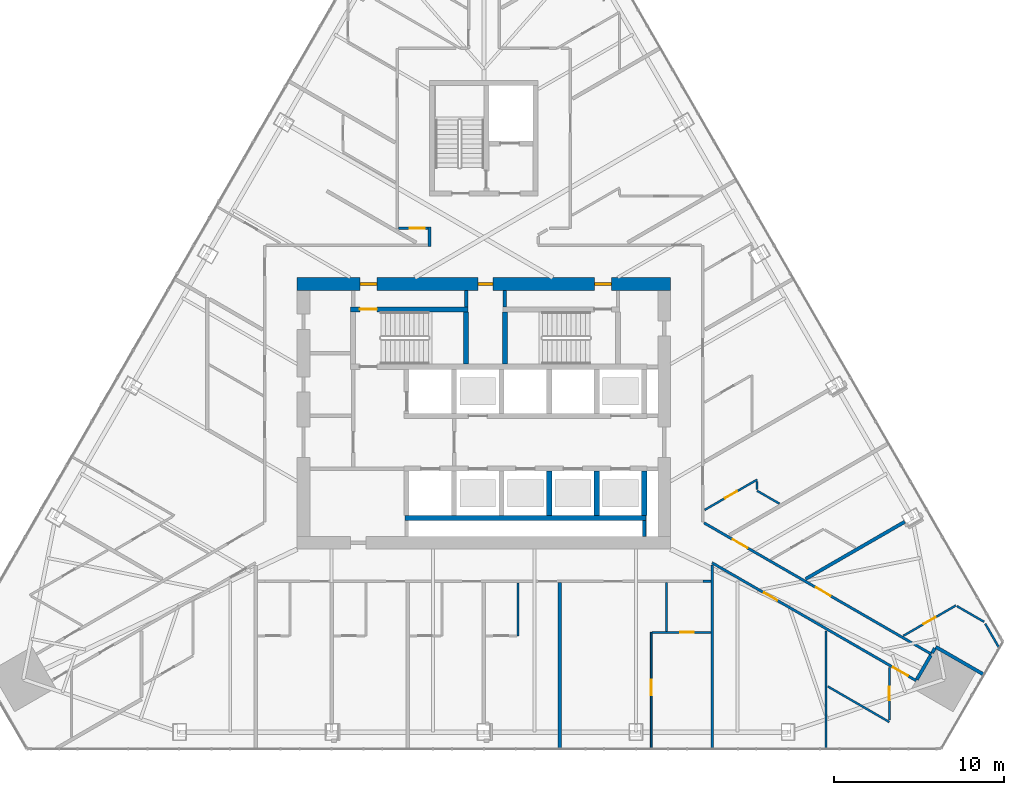
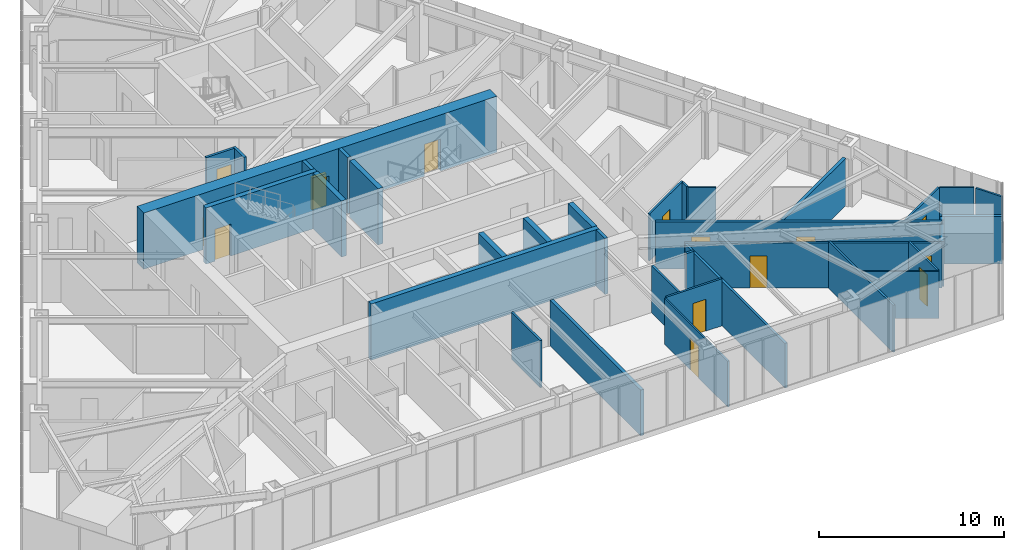
# One storey, part 21 of 26: 35 walls, 14 doors, 14 openings.
"""IFC4 building model written with IfcOpenShell, lengths in metres."""

from ifc_helpers import new_model, si_unit, direction, frame, frame_2d, origin, place, context, subcontext, project, spatial, rectangle, extrude, material, layer, layer_set, type_object, element, fill, save


model = new_model("IFC4")

# Units and contexts
model_context = context("Model", 3, precision=1e-05, world=origin(), true_north=direction((0.0, 1.0)))
body_context = subcontext(model_context, "Body", "Model", "MODEL_VIEW")
ifc_project = project(units=[si_unit("LENGTHUNIT", "METRE"), si_unit("AREAUNIT", "SQUARE_METRE"), si_unit("VOLUMEUNIT", "CUBIC_METRE"), si_unit("PLANEANGLEUNIT", "RADIAN"), si_unit("MASSUNIT", "GRAM", prefix="KILO")], contexts=[model_context])

# Site, building, storey
site_placement = place(None, origin())
site = spatial("IfcSite", under=ifc_project, at=site_placement, CompositionType="ELEMENT")
building_placement = place(site_placement, origin())
building = spatial("IfcBuilding", under=site, at=building_placement, Name="Firuza Gate Tower and Library", CompositionType="ELEMENT")
storey_placement = place(building_placement, frame((0.0, 0.0, 175.300048828125)))
storey = spatial("IfcBuildingStorey", under=building, at=storey_placement, Name="L40", CompositionType="ELEMENT", Elevation=175.300048828125)

# Walls
ifc_material_1 = material(Name="Plasterboard on steel studs", Category="steel")
ifc_layer_1 = layer(ifc_material_1, 0.199951171875)
ifc_layer_set_1 = layer_set([ifc_layer_1], Name="Core partition 200 EI 120")
wall_type_1 = type_object("IfcWallType", Name="Core partition 200 EI 120", PredefinedType="PARTITIONING", material=ifc_layer_set_1)
wall_1_placement = place(storey_placement, frame((84.449951171875, 67.75, 0.0), z_axis=(0.0, 0.0, 1.0), x_axis=(0.0, 1.0, 0.0)))
element("IfcWall", 1, at=wall_1_placement, inside=storey, type_object=wall_type_1, Name="Core partition L40 14", PredefinedType="PARTITIONING", context=body_context, shape_type="SweptSolid", body=[
    extrude(rectangle(XDim=0.949951171875, YDim=0.199951171875, at=frame_2d((0.47509765625, 0.0))), origin(), (0.0, 0.0, 1.0), 3.699951171875),
])
ifc_material_2 = material(Name="Plasterboard on steel studs", Category="steel")
ifc_layer_2 = layer(ifc_material_2, 0.199951171875)
ifc_layer_set_2 = layer_set([ifc_layer_2], Name="Core partition 200 EI 60")
wall_type_2 = type_object("IfcWallType", Name="Core partition 200 EI 60", PredefinedType="PARTITIONING", material=ifc_layer_set_2)
for number, where, z_axis, x_axis, name in (
    (2, (73.9599609375, 81.280029296875, 0.0), (0.0, 0.0, 1.0), (0.0, 1.0, 0.0), "Core partition L40 11"),
    (3, (76.239990234375, 81.280029296875, 0.0), (0.0, 0.0, 1.0), (0.0, 1.0, 0.0), "Core partition L40 12"),
):
    element("IfcWall", number, at=place(storey_placement, frame(where, z_axis=z_axis, x_axis=x_axis)), inside=storey, type_object=wall_type_2, Name=name, PredefinedType="PARTITIONING", context=body_context, shape_type="SweptSolid", body=[
        extrude(rectangle(XDim=0.969970703125, YDim=0.199951171875, at=frame_2d((0.48486328125, 0.0))), origin(), (0.0, 0.0, 1.0), 3.699951171875),
    ])
ifc_material_3 = material(Name="Concrete C80/95", Category="concrete")
ifc_layer_3 = layer(ifc_material_3, 0.300048828125)
ifc_layer_set_3 = layer_set([ifc_layer_3], Name="Core wall 300 C80/95")
wall_type_3 = type_object("IfcWallType", Name="Core wall 300 C80/95", PredefinedType="SHEAR", material=ifc_layer_set_3)
wall_2_placement = place(storey_placement, frame((70.35009765625, 68.85009765625, 0.0), z_axis=(0.0, 0.0, 1.0), x_axis=(1.0, 0.0, 0.0)))
element("IfcWall", 4, at=wall_2_placement, inside=storey, type_object=wall_type_3, Name="Core wall L40 5", PredefinedType="SHEAR", context=body_context, shape_type="SweptSolid", body=[
    extrude(rectangle(XDim=14.199951171875, YDim=0.300048828125, at=frame_2d((7.10009765625, 0.0))), origin(), (0.0, 0.0, 1.0), 3.699951171875),
])
for number, where, z_axis, x_axis, name in (
    (5, (78.85009765625, 69.0, 0.0), (0.0, 0.0, 1.0), (0.0, 1.0, 0.0), "Core wall L40 14"),
    (6, (81.64990234375, 69.0, 0.0), (0.0, 0.0, 1.0), (0.0, 1.0, 0.0), "Core wall L40 16"),
    (7, (84.449951171875, 69.0, 0.0), (0.0, 0.0, 1.0), (0.0, 1.0, 0.0), "Core wall L40 18"),
):
    element("IfcWall", number, at=place(storey_placement, frame(where, z_axis=z_axis, x_axis=x_axis)), inside=storey, type_object=wall_type_3, Name=name, PredefinedType="SHEAR", context=body_context, shape_type="SweptSolid", body=[
        extrude(rectangle(XDim=2.60009765625, YDim=0.300048828125, at=frame_2d((1.300048828125, 0.0))), origin(), (0.0, 0.0, 1.0), 3.699951171875),
    ])

# Wall, opening, door
wall_3_placement = place(storey_placement, frame((67.14990234375, 81.1298828125, 0.0), z_axis=(0.0, 0.0, 1.0), x_axis=(1.0, 0.0, 0.0)))
wall_3 = element("IfcWall", 8, at=wall_3_placement, inside=storey, type_object=wall_type_3, Name="Core wall L40 21", PredefinedType="SHEAR", context=body_context, shape_type="SweptSolid", body=[
    extrude(rectangle(XDim=6.91015625, YDim=0.300048828125, at=frame_2d((3.455078125, 0.0))), origin(), (0.0, 0.0, 1.0), 3.699951171875),
])
opening_1_placement = place(wall_3_placement, frame((0.544921875, 0.0, 0.0)))
opening_1 = element("IfcOpeningElement", 9, at=opening_1_placement, cuts=wall_3, Name="Opening L40-K11", PredefinedType="OPENING", context=body_context, shape_type="SweptSolid", body=[
    extrude(rectangle(XDim=1.0, YDim=2.10009765625, at=frame_2d((0.5, 1.050048828125))), frame((0.0, 0.16015625, 0.0), z_axis=(0.0, -1.0, 0.0), x_axis=(1.0, 0.0, 0.0)), (0.0, 0.0, 1.0), 0.320068359375),
])
ifc_material_4 = material(Name="Steel", Category="steel")
door_type_1 = type_object("IfcDoorType", Name="Fire door 1000x2100 FD90", OperationType="NOTDEFINED", PredefinedType="DOOR", material=ifc_material_4)
door_1_placement = place(opening_1_placement, origin())
door_1 = element("IfcDoor", 10, at=door_1_placement, inside=storey, type_object=door_type_1, Name="Door L40-K11", OperationType="SINGLE_SWING_RIGHT", OverallHeight=2.10009765625, OverallWidth=1.0, PredefinedType="DOOR", context=body_context, shape_type="SweptSolid", body=[
    extrude(rectangle(XDim=1.0, YDim=2.10009765625, at=frame_2d((0.5, 1.050048828125))), frame((0.0, 0.02490234375, 0.0), z_axis=(0.0, -1.0, 0.0), x_axis=(1.0, 0.0, 0.0)), (0.0, 0.0, 1.0), 0.050048828125),
])
fill(opening_1, door_1)

# Walls
for number, where, z_axis, x_axis, name in (
    (11, (73.9599609375, 77.89990234375, 0.0), (0.0, 0.0, 1.0), (0.0, 1.0, 0.0), "Core wall L40 24"),
    (12, (76.239990234375, 77.89990234375, 0.0), (0.0, 0.0, 1.0), (0.0, 1.0, 0.0), "Core wall L40 25"),
):
    element("IfcWall", number, at=place(storey_placement, frame(where, z_axis=z_axis, x_axis=x_axis)), inside=storey, type_object=wall_type_3, Name=name, PredefinedType="SHEAR", context=body_context, shape_type="SweptSolid", body=[
        extrude(rectangle(XDim=3.080078125, YDim=0.300048828125, at=frame_2d((1.5400390625, 0.0))), origin(), (0.0, 0.0, 1.0), 3.699951171875),
    ])

# Wall, openings, doors
ifc_material_5 = material(Name="Concrete C80/95", Category="concrete")
ifc_layer_4 = layer(ifc_material_5, 0.75)
ifc_layer_set_4 = layer_set([ifc_layer_4], Name="Core wall 750 C80/95")
wall_type_4 = type_object("IfcWallType", Name="Core wall 750 C80/95", PredefinedType="SHEAR", material=ifc_layer_set_4)
wall_4_placement = place(storey_placement, frame((64.0, 82.625, 0.0), z_axis=(0.0, 0.0, 1.0), x_axis=(1.0, 0.0, 0.0)))
wall_4 = element("IfcWall", 13, at=wall_4_placement, inside=storey, type_object=wall_type_4, Name="Core wall L40 2", PredefinedType="SHEAR", context=body_context, shape_type="SweptSolid", body=[
    extrude(rectangle(XDim=22.0, YDim=0.75, at=frame_2d((11.0, 0.0))), origin(), (0.0, 0.0, 1.0), 3.699951171875),
])
opening_2_placement = place(wall_4_placement, frame((3.695068359375, 0.0, 0.0)))
opening_2 = element("IfcOpeningElement", 14, at=opening_2_placement, cuts=wall_4, Name="Opening L40-K12", PredefinedType="OPENING", context=body_context, shape_type="SweptSolid", body=[
    extrude(rectangle(XDim=1.0, YDim=2.10009765625, at=frame_2d((0.5, 1.050048828125))), frame((0.0, 0.385009765625, 0.0), z_axis=(0.0, -1.0, 0.0), x_axis=(1.0, 0.0, 0.0)), (0.0, 0.0, 1.0), 0.77001953125),
])
opening_3_placement = place(wall_4_placement, frame((17.5048828125, 0.0, 0.0)))
opening_3 = element("IfcOpeningElement", 15, at=opening_3_placement, cuts=wall_4, Name="Opening L40-K14", PredefinedType="OPENING", context=body_context, shape_type="SweptSolid", body=[
    extrude(rectangle(XDim=1.0, YDim=2.10009765625, at=frame_2d((0.5, 1.050048828125))), frame((0.0, 0.385009765625, 0.0), z_axis=(0.0, -1.0, 0.0), x_axis=(1.0, 0.0, 0.0)), (0.0, 0.0, 1.0), 0.77001953125),
])
opening_4_placement = place(wall_4_placement, frame((10.64990234375, 0.0, 0.0)))
opening_4 = element("IfcOpeningElement", 16, at=opening_4_placement, cuts=wall_4, Name="Opening L40-K25", PredefinedType="OPENING", context=body_context, shape_type="SweptSolid", body=[
    extrude(rectangle(XDim=0.89990234375, YDim=2.10009765625, at=frame_2d((0.449951171875, 1.050048828125))), frame((0.0, 0.385009765625, 0.0), z_axis=(0.0, -1.0, 0.0), x_axis=(1.0, 0.0, 0.0)), (0.0, 0.0, 1.0), 0.77001953125),
])
door_2_placement = place(opening_2_placement, origin())
door_2 = element("IfcDoor", 17, at=door_2_placement, inside=storey, type_object=door_type_1, Name="Door L40-K12", OperationType="SINGLE_SWING_LEFT", OverallHeight=2.10009765625, OverallWidth=1.0, PredefinedType="DOOR", context=body_context, shape_type="SweptSolid", body=[
    extrude(rectangle(XDim=1.0, YDim=2.10009765625, at=frame_2d((0.5, 1.050048828125))), frame((0.0, 0.094970703125, 0.0), z_axis=(0.0, -1.0, 0.0), x_axis=(1.0, 0.0, 0.0)), (0.0, 0.0, 1.0), 0.18994140625),
])
fill(opening_2, door_2)
door_3_placement = place(opening_3_placement, origin())
door_3 = element("IfcDoor", 18, at=door_3_placement, inside=storey, type_object=door_type_1, Name="Door L40-K14", OperationType="SINGLE_SWING_LEFT", OverallHeight=2.10009765625, OverallWidth=1.0, PredefinedType="DOOR", context=body_context, shape_type="SweptSolid", body=[
    extrude(rectangle(XDim=1.0, YDim=2.10009765625, at=frame_2d((0.5, 1.050048828125))), frame((0.0, 0.094970703125, 0.0), z_axis=(0.0, -1.0, 0.0), x_axis=(1.0, 0.0, 0.0)), (0.0, 0.0, 1.0), 0.18994140625),
])
fill(opening_3, door_3)
ifc_material_6 = material(Name="Steel", Category="steel")
door_type_2 = type_object("IfcDoorType", Name="Fire door 900x2100 FD30S", OperationType="NOTDEFINED", PredefinedType="DOOR", material=ifc_material_6)
door_4_placement = place(opening_4_placement, origin())
door_4 = element("IfcDoor", 19, at=door_4_placement, inside=storey, type_object=door_type_2, Name="Door L40-K25", OperationType="SINGLE_SWING_RIGHT", OverallHeight=2.10009765625, OverallWidth=0.89990234375, PredefinedType="DOOR", context=body_context, shape_type="SweptSolid", body=[
    extrude(rectangle(XDim=0.89990234375, YDim=2.10009765625, at=frame_2d((0.449951171875, 1.050048828125))), frame((0.0, 0.094970703125, 0.0), z_axis=(0.0, -1.0, 0.0), x_axis=(1.0, 0.0, 0.0)), (0.0, 0.0, 1.0), 0.18994140625),
])
fill(opening_4, door_4)

# Wall
ifc_material_7 = material(Name="Gypsum board partition")
ifc_layer_5 = layer(ifc_material_7, 0.14990234375)
ifc_layer_set_5 = layer_set([ifc_layer_5], Name="Corridor wall 150 double board on steel studs")
wall_type_5 = type_object("IfcWallType", Name="Corridor wall 150 double board on steel studs", PredefinedType="PARTITIONING", material=ifc_layer_set_5)
wall_5_placement = place(storey_placement, frame((87.89990234375, 65.118896484375, 0.0), z_axis=(0.0, 0.0, 1.0), x_axis=(1.0, 0.0, 0.0)))
element("IfcWall", 20, at=wall_5_placement, inside=storey, type_object=wall_type_5, Name="f:L40:w010", PredefinedType="PARTITIONING", context=body_context, shape_type="SweptSolid", body=[
    extrude(rectangle(XDim=0.468017578125, YDim=0.14990234375, at=frame_2d((0.23388671875, 0.0))), origin(), (0.0, 0.0, 1.0), 3.099853515625),
])

# Wall, opening, door
wall_6_placement = place(storey_placement, frame((69.9755859375, 85.89990234375, 0.0), z_axis=(0.0, 0.0, 1.0), x_axis=(1.0, 0.0, 0.0)))
wall_6 = element("IfcWall", 21, at=wall_6_placement, inside=storey, type_object=wall_type_5, Name="f:L40:w013", PredefinedType="PARTITIONING", context=body_context, shape_type="SweptSolid", body=[
    extrude(rectangle(XDim=1.74951171875, YDim=0.14990234375, at=frame_2d((0.874755859375, 0.0))), origin(), (0.0, 0.0, 1.0), 3.099853515625),
])
opening_5_placement = place(wall_6_placement, frame((0.645751953125, 0.0, 0.0)))
opening_5 = element("IfcOpeningElement", 22, at=opening_5_placement, cuts=wall_6, Name="Opening L40-12", PredefinedType="OPENING", context=body_context, shape_type="SweptSolid", body=[
    extrude(rectangle(XDim=0.89990234375, YDim=2.10009765625, at=frame_2d((0.449951171875, 1.050048828125))), frame((0.0, 0.0849609375, 0.0), z_axis=(0.0, -1.0, 0.0), x_axis=(1.0, 0.0, 0.0)), (0.0, 0.0, 1.0), 0.169921875),
])
ifc_material_8 = material(Name="Steel door and timber leaf", Category="steel")
door_type_3 = type_object("IfcDoorType", Name="Fire door 900 x 2100 steel frame, timber leaf", OperationType="NOTDEFINED", PredefinedType="DOOR", material=ifc_material_8)
door_5_placement = place(opening_5_placement, origin())
door_5 = element("IfcDoor", 23, at=door_5_placement, inside=storey, type_object=door_type_3, Name="f:L40:d012", OperationType="SINGLE_SWING_RIGHT", OverallHeight=2.10009765625, OverallWidth=0.89990234375, PredefinedType="DOOR", context=body_context, shape_type="SweptSolid", body=[
    extrude(rectangle(XDim=0.89990234375, YDim=2.10009765625, at=frame_2d((0.449951171875, 1.050048828125))), frame((0.0, 0.02490234375, 0.0), z_axis=(0.0, -1.0, 0.0), x_axis=(1.0, 0.0, 0.0)), (0.0, 0.0, 1.0), 0.050048828125),
])
fill(opening_5, door_5)

# Walls
wall_7_placement = place(storey_placement, frame((88.443115234375, 55.260498046875, 0.0), z_axis=(0.0, 0.0, 1.0), x_axis=(0.0, 1.0, 0.0)))
element("IfcWall", 24, at=wall_7_placement, inside=storey, type_object=wall_type_5, Name="f:L40:w053", PredefinedType="PARTITIONING", context=body_context, shape_type="SweptSolid", body=[
    extrude(rectangle(XDim=10.802490234375, YDim=0.14990234375, at=frame_2d((5.4013671875, 0.0))), origin(), (0.0, 0.0, 1.0), 2.947021484375),
])
wall_8_placement = place(storey_placement, frame((71.800048828125, 84.824951171875, 0.0), z_axis=(0.0, 0.0, 1.0), x_axis=(0.0, 1.0, 0.0)))
element("IfcWall", 25, at=wall_8_placement, inside=storey, type_object=wall_type_5, Name="f:L40:w070", PredefinedType="PARTITIONING", context=body_context, shape_type="SweptSolid", body=[
    extrude(rectangle(XDim=1.150146484375, YDim=0.14990234375, at=frame_2d((0.5751953125, 0.0))), origin(), (0.0, 0.0, 1.0), 3.099853515625),
])

# Wall, openings, doors
wall_9_placement = place(storey_placement, frame((87.97509765625, 68.548095703125, 0.0), z_axis=(0.0, 0.0, 1.0), x_axis=(0.866029648708, -0.499992647504, 0.0)))
wall_9 = element("IfcWall", 26, at=wall_9_placement, inside=storey, type_object=wall_type_5, Name="f:L40:w105", PredefinedType="PARTITIONING", context=body_context, shape_type="SweptSolid", body=[
    extrude(rectangle(XDim=15.460693359375, YDim=0.14990234375, at=frame_2d((7.73046875, 0.0))), origin(), (0.0, 0.0, 1.0), 3.099853515625),
])
opening_6_placement = place(wall_9_placement, frame((1.947998046875, 0.0, 0.0)))
opening_6 = element("IfcOpeningElement", 27, at=opening_6_placement, cuts=wall_9, Name="Opening L40-46", PredefinedType="OPENING", context=body_context, shape_type="SweptSolid", body=[
    extrude(rectangle(XDim=1.0, YDim=2.10009765625, at=frame_2d((0.5, 1.050048828125))), frame((0.0, 0.0849609375, 0.0), z_axis=(0.0, -1.0, 0.0), x_axis=(1.0, 0.0, 0.0)), (0.0, 0.0, 1.0), 0.169921875),
])
opening_7_placement = place(wall_9_placement, frame((7.60205078125, 0.0, 0.0)))
opening_7 = element("IfcOpeningElement", 28, at=opening_7_placement, cuts=wall_9, Name="Opening L40-47", PredefinedType="OPENING", context=body_context, shape_type="SweptSolid", body=[
    extrude(rectangle(XDim=1.0, YDim=2.10009765625, at=frame_2d((0.5, 1.050048828125))), frame((0.0, 0.0849609375, 0.0), z_axis=(0.0, -1.0, 0.0), x_axis=(1.0, 0.0, 0.0)), (0.0, 0.0, 1.0), 0.169921875),
])
ifc_material_9 = material(Name="Steel door and timber leaf", Category="steel")
door_type_4 = type_object("IfcDoorType", Name="Fire door 1000 x 2100 steel frame, timber leaf", OperationType="NOTDEFINED", PredefinedType="DOOR", material=ifc_material_9)
door_6_placement = place(opening_6_placement, origin())
door_6 = element("IfcDoor", 29, at=door_6_placement, inside=storey, type_object=door_type_4, Name="f:L40:d046", OperationType="SINGLE_SWING_RIGHT", OverallHeight=2.10009765625, OverallWidth=1.0, PredefinedType="DOOR", context=body_context, shape_type="SweptSolid", body=[
    extrude(rectangle(XDim=1.0, YDim=2.10009765625, at=frame_2d((0.5, 1.050048828125))), frame((0.0, 0.02490234375, 0.0), z_axis=(0.0, -1.0, 0.0), x_axis=(1.0, 0.0, 0.0)), (0.0, 0.0, 1.0), 0.050048828125),
])
fill(opening_6, door_6)
door_7_placement = place(opening_7_placement, origin())
door_7 = element("IfcDoor", 30, at=door_7_placement, inside=storey, type_object=door_type_4, Name="f:L40:d047", OperationType="SINGLE_SWING_RIGHT", OverallHeight=2.10009765625, OverallWidth=1.0, PredefinedType="DOOR", context=body_context, shape_type="SweptSolid", body=[
    extrude(rectangle(XDim=1.0, YDim=2.10009765625, at=frame_2d((0.5, 1.050048828125))), frame((0.0, 0.02490234375, 0.0), z_axis=(0.0, -1.0, 0.0), x_axis=(1.0, 0.0, 0.0)), (0.0, 0.0, 1.0), 0.050048828125),
])
fill(opening_7, door_7)

wall_10_placement = place(storey_placement, frame((100.464111328125, 59.25927734375, 0.0), z_axis=(0.0, 0.0, 1.0), x_axis=(-0.866026545444, 0.499998022582, 0.0)))
wall_10 = element("IfcWall", 31, at=wall_10_placement, inside=storey, type_object=wall_type_5, Name="f:L40:w106", PredefinedType="PARTITIONING", context=body_context, shape_type="SweptSolid", body=[
    extrude(rectangle(XDim=13.880859375, YDim=0.14990234375, at=frame_2d((6.9404296875, 0.0))), origin(), (0.0, 0.0, 1.0), 2.947021484375),
])
opening_8_placement = place(wall_10_placement, frame((0.56591796875, 0.0, 0.0)))
opening_8 = element("IfcOpeningElement", 32, at=opening_8_placement, cuts=wall_10, Name="Opening L40-48", PredefinedType="OPENING", context=body_context, shape_type="SweptSolid", body=[
    extrude(rectangle(XDim=1.0, YDim=2.10009765625, at=frame_2d((0.5, 1.050048828125))), frame((0.0, 0.0849609375, 0.0), z_axis=(0.0, -1.0, 0.0), x_axis=(1.0, 0.0, 0.0)), (0.0, 0.0, 1.0), 0.169921875),
])
opening_9_placement = place(wall_10_placement, frame((9.448486328125, 0.0, 0.0)))
opening_9 = element("IfcOpeningElement", 33, at=opening_9_placement, cuts=wall_10, Name="Opening L40-49", PredefinedType="OPENING", context=body_context, shape_type="SweptSolid", body=[
    extrude(rectangle(XDim=0.89990234375, YDim=2.10009765625, at=frame_2d((0.449951171875, 1.050048828125))), frame((0.0, 0.0849609375, 0.0), z_axis=(0.0, -1.0, 0.0), x_axis=(1.0, 0.0, 0.0)), (0.0, 0.0, 1.0), 0.169921875),
])
door_8_placement = place(opening_8_placement, origin())
door_8 = element("IfcDoor", 34, at=door_8_placement, inside=storey, type_object=door_type_4, Name="f:L40:d048", OperationType="SINGLE_SWING_LEFT", OverallHeight=2.10009765625, OverallWidth=1.0, PredefinedType="DOOR", context=body_context, shape_type="SweptSolid", body=[
    extrude(rectangle(XDim=1.0, YDim=2.10009765625, at=frame_2d((0.5, 1.050048828125))), frame((0.0, 0.02490234375, 0.0), z_axis=(0.0, -1.0, 0.0), x_axis=(1.0, 0.0, 0.0)), (0.0, 0.0, 1.0), 0.050048828125),
])
fill(opening_8, door_8)
door_9_placement = place(opening_9_placement, origin())
door_9 = element("IfcDoor", 35, at=door_9_placement, inside=storey, type_object=door_type_3, Name="f:L40:d049", OperationType="SINGLE_SWING_RIGHT", OverallHeight=2.10009765625, OverallWidth=0.89990234375, PredefinedType="DOOR", context=body_context, shape_type="SweptSolid", body=[
    extrude(rectangle(XDim=0.89990234375, YDim=2.10009765625, at=frame_2d((0.449951171875, 1.050048828125))), frame((0.0, 0.02490234375, 0.0), z_axis=(0.0, -1.0, 0.0), x_axis=(1.0, 0.0, 0.0)), (0.0, 0.0, 1.0), 0.050048828125),
])
fill(opening_9, door_9)

# Walls
ifc_material_10 = material(Name="Gypsum board partition")
ifc_layer_6 = layer(ifc_material_10, 0.199951171875)
ifc_layer_set_6 = layer_set([ifc_layer_6], Name="Demising wall 200 acoustic double stud")
wall_type_6 = type_object("IfcWallType", Name="Demising wall 200 acoustic double stud", PredefinedType="PARTITIONING", material=ifc_layer_set_6)
wall_11_placement = place(storey_placement, frame((93.950927734375, 65.24462890625, 0.0), z_axis=(0.0, 0.0, 1.0), x_axis=(0.866027052535, 0.49999714427, 0.0)))
element("IfcWall", 36, at=wall_11_placement, inside=storey, type_object=wall_type_6, Name="f:L40:w023", PredefinedType="PARTITIONING", context=body_context, shape_type="SweptSolid", body=[
    extrude(rectangle(XDim=6.74462890625, YDim=0.199951171875, at=frame_2d((3.372314453125, 0.0))), origin(), (0.0, 0.0, 1.0), 3.099853515625),
])
wall_12_placement = place(storey_placement, frame((100.501953125, 59.324462890625, 0.0), z_axis=(0.0, 0.0, 1.0), x_axis=(0.499991515992, 0.866030301974, 0.0)))
element("IfcWall", 37, at=wall_12_placement, inside=storey, type_object=wall_type_6, Name="f:L40:w045", PredefinedType="PARTITIONING", context=body_context, shape_type="SweptSolid", body=[
    extrude(rectangle(XDim=1.6494140625, YDim=0.199951171875, at=frame_2d((0.82470703125, 0.0))), origin(), (0.0, 0.0, 1.0), 2.947021484375),
])
wall_13_placement = place(storey_placement, frame((79.48095703125, 55.260498046875, 0.0), z_axis=(0.0, 0.0, 1.0), x_axis=(0.0, 1.0, 0.0)))
element("IfcWall", 38, at=wall_13_placement, inside=storey, type_object=wall_type_6, Name="f:L40:w060", PredefinedType="PARTITIONING", context=body_context, shape_type="SweptSolid", body=[
    extrude(rectangle(XDim=9.764404296875, YDim=0.199951171875, at=frame_2d((4.88232421875, 0.0))), origin(), (0.0, 0.0, 1.0), 3.02197265625),
])
wall_14_placement = place(storey_placement, frame((104.437744140625, 59.620849609375, 0.0), z_axis=(0.0, 0.0, 1.0), x_axis=(-0.866035906198, 0.499981808845, 0.0)))
element("IfcWall", 39, at=wall_14_placement, inside=storey, type_object=wall_type_6, Name="f:L40:w104", PredefinedType="PARTITIONING", context=body_context, shape_type="SweptSolid", body=[
    extrude(rectangle(XDim=3.25927734375, YDim=0.199951171875, at=frame_2d((1.629638671875, 0.0))), origin(), (0.0, 0.0, 1.0), 3.099853515625),
])
wall_15_placement = place(storey_placement, frame((101.401611328125, 60.8828125, 0.0), z_axis=(0.0, 0.0, 1.0), x_axis=(0.500265064493, 0.865872314633, 0.0)))
element("IfcWall", 40, at=wall_15_placement, inside=storey, type_object=wall_type_6, Name="f:L40:w118", PredefinedType="PARTITIONING", context=body_context, shape_type="SweptSolid", body=[
    extrude(rectangle(XDim=0.324462890625, YDim=0.199951171875, at=frame_2d((0.162109375, 0.0))), origin(), (0.0, 0.0, 1.0), 3.099853515625),
])

# Wall, opening, door
ifc_material_11 = material(Name="Gypsum board partition")
ifc_layer_7 = layer(ifc_material_11, 0.10009765625)
ifc_layer_set_7 = layer_set([ifc_layer_7], Name="Partition 100 gypsum board on steel studs")
wall_type_7 = type_object("IfcWallType", Name="Partition 100 gypsum board on steel studs", PredefinedType="PARTITIONING", material=ifc_layer_set_7)
wall_16_placement = place(storey_placement, frame((84.85791015625, 62.10009765625, 0.0), z_axis=(0.0, 0.0, 1.0), x_axis=(0.0, -1.0, 0.0)))
wall_16 = element("IfcWall", 41, at=wall_16_placement, inside=storey, type_object=wall_type_7, Name="f:L40:w056", PredefinedType="PARTITIONING", context=body_context, shape_type="SweptSolid", body=[
    extrude(rectangle(XDim=6.839599609375, YDim=0.10009765625, at=frame_2d((3.419921875, 0.0))), origin(), (0.0, 0.0, 1.0), 3.02197265625),
])
opening_10_placement = place(wall_16_placement, frame((2.789794921875, 0.0, 0.0)))
opening_10 = element("IfcOpeningElement", 42, at=opening_10_placement, cuts=wall_16, Name="Opening L40-33", PredefinedType="OPENING", context=body_context, shape_type="SweptSolid", body=[
    extrude(rectangle(XDim=0.89990234375, YDim=2.10009765625, at=frame_2d((0.449951171875, 1.050048828125))), frame((0.0, 0.06005859375, 0.0), z_axis=(0.0, -1.0, 0.0), x_axis=(1.0, 0.0, 0.0)), (0.0, 0.0, 1.0), 0.1201171875),
])
ifc_material_12 = material(Name="Timber door", Category="wood")
door_type_5 = type_object("IfcDoorType", Name="Door 900 x 2100 timber leaf", OperationType="NOTDEFINED", PredefinedType="DOOR", material=ifc_material_12)
door_10_placement = place(opening_10_placement, origin())
door_10 = element("IfcDoor", 43, at=door_10_placement, inside=storey, type_object=door_type_5, Name="f:L40:d033", OperationType="SINGLE_SWING_LEFT", OverallHeight=2.10009765625, OverallWidth=0.89990234375, PredefinedType="DOOR", context=body_context, shape_type="SweptSolid", body=[
    extrude(rectangle(XDim=0.89990234375, YDim=2.10009765625, at=frame_2d((0.449951171875, 1.050048828125))), frame((0.0, 0.02490234375, 0.0), z_axis=(0.0, -1.0, 0.0), x_axis=(1.0, 0.0, 0.0)), (0.0, 0.0, 1.0), 0.050048828125),
])
fill(opening_10, door_10)

ifc_material_13 = material(Name="Gypsum board partition")
ifc_layer_8 = layer(ifc_material_13, 0.1201171875)
ifc_layer_set_8 = layer_set([ifc_layer_8], Name="Wet-area partition 120 moisture-resistant board")
wall_type_8 = type_object("IfcWallType", Name="Wet-area partition 120 moisture-resistant board", PredefinedType="PARTITIONING", material=ifc_layer_set_8)
wall_17_placement = place(storey_placement, frame((84.908203125, 62.10009765625, 0.0), z_axis=(0.0, 0.0, 1.0), x_axis=(1.0, 0.0, 0.0)))
wall_17 = element("IfcWall", 44, at=wall_17_placement, inside=storey, type_object=wall_type_8, Name="f:L40:w007", PredefinedType="PARTITIONING", context=body_context, shape_type="SweptSolid", body=[
    extrude(rectangle(XDim=3.459716796875, YDim=0.1201171875, at=frame_2d((1.72998046875, 0.0))), origin(), (0.0, 0.0, 1.0), 3.099853515625),
])
opening_11_placement = place(wall_17_placement, frame((1.653076171875, 0.0, 0.0)))
opening_11 = element("IfcOpeningElement", 45, at=opening_11_placement, cuts=wall_17, Name="Opening L40-05", PredefinedType="OPENING", context=body_context, shape_type="SweptSolid", body=[
    extrude(rectangle(XDim=0.800048828125, YDim=2.10009765625, at=frame_2d((0.39990234375, 1.050048828125))), frame((0.0, 0.070068359375, 0.0), z_axis=(0.0, -1.0, 0.0), x_axis=(1.0, 0.0, 0.0)), (0.0, 0.0, 1.0), 0.14013671875),
])
ifc_material_14 = material(Name="Timber door", Category="wood")
door_type_6 = type_object("IfcDoorType", Name="Door 800 x 2100 timber leaf", OperationType="NOTDEFINED", PredefinedType="DOOR", material=ifc_material_14)
door_11_placement = place(opening_11_placement, origin())
door_11 = element("IfcDoor", 46, at=door_11_placement, inside=storey, type_object=door_type_6, Name="f:L40:d005", OperationType="SINGLE_SWING_LEFT", OverallHeight=2.10009765625, OverallWidth=0.800048828125, PredefinedType="DOOR", context=body_context, shape_type="SweptSolid", body=[
    extrude(rectangle(XDim=0.800048828125, YDim=2.10009765625, at=frame_2d((0.39990234375, 1.050048828125))), frame((0.0, 0.02490234375, 0.0), z_axis=(0.0, -1.0, 0.0), x_axis=(1.0, 0.0, 0.0)), (0.0, 0.0, 1.0), 0.050048828125),
])
fill(opening_11, door_11)

wall_18_placement = place(storey_placement, frame((102.800048828125, 63.68408203125, 0.0), z_axis=(0.0, 0.0, 1.0), x_axis=(-0.866028357664, -0.499994883695, 0.0)))
wall_18 = element("IfcWall", 47, at=wall_18_placement, inside=storey, type_object=wall_type_8, Name="f:L40:w021", PredefinedType="PARTITIONING", context=body_context, shape_type="SweptSolid", body=[
    extrude(rectangle(XDim=3.568359375, YDim=0.1201171875, at=frame_2d((1.7841796875, 0.0))), origin(), (0.0, 0.0, 1.0), 3.099853515625),
])
opening_12_placement = place(wall_18_placement, frame((1.38427734375, 0.0, 0.0)))
opening_12 = element("IfcOpeningElement", 48, at=opening_12_placement, cuts=wall_18, Name="Opening L40-15", PredefinedType="OPENING", context=body_context, shape_type="SweptSolid", body=[
    extrude(rectangle(XDim=0.800048828125, YDim=2.10009765625, at=frame_2d((0.39990234375, 1.050048828125))), frame((0.0, 0.070068359375, 0.0), z_axis=(0.0, -1.0, 0.0), x_axis=(1.0, 0.0, 0.0)), (0.0, 0.0, 1.0), 0.14013671875),
])
door_12_placement = place(opening_12_placement, origin())
door_12 = element("IfcDoor", 49, at=door_12_placement, inside=storey, type_object=door_type_6, Name="f:L40:d015", OperationType="SINGLE_SWING_LEFT", OverallHeight=2.10009765625, OverallWidth=0.800048828125, PredefinedType="DOOR", context=body_context, shape_type="SweptSolid", body=[
    extrude(rectangle(XDim=0.800048828125, YDim=2.10009765625, at=frame_2d((0.39990234375, 1.050048828125))), frame((0.0, 0.02490234375, 0.0), z_axis=(0.0, -1.0, 0.0), x_axis=(1.0, 0.0, 0.0)), (0.0, 0.0, 1.0), 0.050048828125),
])
fill(opening_12, door_12)

wall_19_placement = place(storey_placement, frame((91.100341796875, 71.100830078125, 0.0), z_axis=(0.0, 0.0, 1.0), x_axis=(-0.866045460162, -0.499965259726, 0.0)))
wall_19 = element("IfcWall", 50, at=wall_19_placement, inside=storey, type_object=wall_type_8, Name="f:L40:w026", PredefinedType="PARTITIONING", context=body_context, shape_type="SweptSolid", body=[
    extrude(rectangle(XDim=3.568603515625, YDim=0.1201171875, at=frame_2d((1.7841796875, 0.0))), origin(), (0.0, 0.0, 1.0), 3.099853515625),
])
opening_13_placement = place(wall_19_placement, frame((1.38427734375, 0.0, 0.0)))
opening_13 = element("IfcOpeningElement", 51, at=opening_13_placement, cuts=wall_19, Name="Opening L40-17", PredefinedType="OPENING", context=body_context, shape_type="SweptSolid", body=[
    extrude(rectangle(XDim=0.800048828125, YDim=2.10009765625, at=frame_2d((0.39990234375, 1.050048828125))), frame((0.0, 0.070068359375, 0.0), z_axis=(0.0, -1.0, 0.0), x_axis=(1.0, 0.0, 0.0)), (0.0, 0.0, 1.0), 0.14013671875),
])
door_13_placement = place(opening_13_placement, origin())
door_13 = element("IfcDoor", 52, at=door_13_placement, inside=storey, type_object=door_type_6, Name="f:L40:d017", OperationType="SINGLE_SWING_LEFT", OverallHeight=2.10009765625, OverallWidth=0.800048828125, PredefinedType="DOOR", context=body_context, shape_type="SweptSolid", body=[
    extrude(rectangle(XDim=0.800048828125, YDim=2.10009765625, at=frame_2d((0.39990234375, 1.050048828125))), frame((0.0, 0.02490234375, 0.0), z_axis=(0.0, -1.0, 0.0), x_axis=(1.0, 0.0, 0.0)), (0.0, 0.0, 1.0), 0.050048828125),
])
fill(opening_13, door_13)

wall_20_placement = place(storey_placement, frame((98.882080078125, 56.93310546875, 0.0), z_axis=(0.0, 0.0, 1.0), x_axis=(0.0, 1.0, 0.0)))
wall_20 = element("IfcWall", 53, at=wall_20_placement, inside=storey, type_object=wall_type_8, Name="f:L40:w047", PredefinedType="PARTITIONING", context=body_context, shape_type="SweptSolid", body=[
    extrude(rectangle(XDim=3.11279296875, YDim=0.1201171875, at=frame_2d((1.556396484375, 0.0))), origin(), (0.0, 0.0, 1.0), 3.099853515625),
])
opening_14_placement = place(wall_20_placement, frame((1.156494140625, 0.0, 0.0)))
opening_14 = element("IfcOpeningElement", 54, at=opening_14_placement, cuts=wall_20, Name="Opening L40-30", PredefinedType="OPENING", context=body_context, shape_type="SweptSolid", body=[
    extrude(rectangle(XDim=0.800048828125, YDim=2.10009765625, at=frame_2d((0.39990234375, 1.050048828125))), frame((0.0, 0.070068359375, 0.0), z_axis=(0.0, -1.0, 0.0), x_axis=(1.0, 0.0, 0.0)), (0.0, 0.0, 1.0), 0.14013671875),
])
door_14_placement = place(opening_14_placement, origin())
door_14 = element("IfcDoor", 55, at=door_14_placement, inside=storey, type_object=door_type_6, Name="f:L40:d030", OperationType="SINGLE_SWING_RIGHT", OverallHeight=2.10009765625, OverallWidth=0.800048828125, PredefinedType="DOOR", context=body_context, shape_type="SweptSolid", body=[
    extrude(rectangle(XDim=0.800048828125, YDim=2.10009765625, at=frame_2d((0.39990234375, 1.050048828125))), frame((0.0, 0.02490234375, 0.0), z_axis=(0.0, -1.0, 0.0), x_axis=(1.0, 0.0, 0.0)), (0.0, 0.0, 1.0), 0.050048828125),
])
fill(opening_14, door_14)

# Walls
wall_21_placement = place(storey_placement, frame((95.1640625, 55.260498046875, 0.0), z_axis=(0.0, 0.0, 1.0), x_axis=(0.0, 1.0, 0.0)))
element("IfcWall", 56, at=wall_21_placement, inside=storey, type_object=wall_type_8, Name="f:L40:w048", PredefinedType="PARTITIONING", context=body_context, shape_type="SweptSolid", body=[
    extrude(rectangle(XDim=6.931884765625, YDim=0.1201171875, at=frame_2d((3.4658203125, 0.0))), origin(), (0.0, 0.0, 1.0), 3.099853515625),
])
wall_22_placement = place(storey_placement, frame((91.10009765625, 70.50830078125, 0.0), z_axis=(0.0, 0.0, 1.0), x_axis=(0.0, 1.0, 0.0)))
element("IfcWall", 57, at=wall_22_placement, inside=storey, type_object=wall_type_8, Name="f:L40:w049", PredefinedType="PARTITIONING", context=body_context, shape_type="SweptSolid", body=[
    extrude(rectangle(XDim=0.483642578125, YDim=0.1201171875, at=frame_2d((0.24169921875, 0.0))), origin(), (0.0, 0.0, 1.0), 3.099853515625),
])
wall_23_placement = place(storey_placement, frame((85.75390625, 62.159912109375, 0.0), z_axis=(0.0, 0.0, 1.0), x_axis=(0.0, 1.0, 0.0)))
element("IfcWall", 58, at=wall_23_placement, inside=storey, type_object=wall_type_8, Name="f:L40:w055", PredefinedType="PARTITIONING", context=body_context, shape_type="SweptSolid", body=[
    extrude(rectangle(XDim=2.864990234375, YDim=0.1201171875, at=frame_2d((1.4326171875, 0.0))), origin(), (0.0, 0.0, 1.0), 3.099853515625),
])
wall_24_placement = place(storey_placement, frame((77.01611328125, 61.89990234375, 0.0), z_axis=(0.0, 0.0, 1.0), x_axis=(0.0, 1.0, 0.0)))
element("IfcWall", 59, at=wall_24_placement, inside=storey, type_object=wall_type_8, Name="f:L40:w063", PredefinedType="PARTITIONING", context=body_context, shape_type="SweptSolid", body=[
    extrude(rectangle(XDim=3.125, YDim=0.1201171875, at=frame_2d((1.5625, 0.0))), origin(), (0.0, 0.0, 1.0), 3.099853515625),
])
wall_25_placement = place(storey_placement, frame((105.346923828125, 61.195556640625, 0.0), z_axis=(0.0, 0.0, 1.0), x_axis=(-0.49992834617, 0.86606676919, 0.0)))
element("IfcWall", 60, at=wall_25_placement, inside=storey, type_object=wall_type_8, Name="f:L40:w086", PredefinedType="PARTITIONING", context=body_context, shape_type="SweptSolid", body=[
    extrude(rectangle(XDim=1.642333984375, YDim=0.1201171875, at=frame_2d((0.8212890625, 0.0))), origin(), (0.0, 0.0, 1.0), 3.099853515625),
])
wall_26_placement = place(storey_placement, frame((104.46630859375, 62.72216796875, 0.0), z_axis=(0.0, 0.0, 1.0), x_axis=(-0.866047486323, 0.49996174997, 0.0)))
element("IfcWall", 61, at=wall_26_placement, inside=storey, type_object=wall_type_8, Name="f:L40:w100", PredefinedType="PARTITIONING", context=body_context, shape_type="SweptSolid", body=[
    extrude(rectangle(XDim=1.854736328125, YDim=0.1201171875, at=frame_2d((0.92724609375, 0.0))), origin(), (0.0, 0.0, 1.0), 3.099853515625),
])
wall_27_placement = place(storey_placement, frame((92.408203125, 69.68359375, 0.0), z_axis=(0.0, 0.0, 1.0), x_axis=(-0.865986401109, 0.500067548531, 0.0)))
element("IfcWall", 62, at=wall_27_placement, inside=storey, type_object=wall_type_8, Name="f:L40:w102", PredefinedType="PARTITIONING", context=body_context, shape_type="SweptSolid", body=[
    extrude(rectangle(XDim=1.510498046875, YDim=0.1201171875, at=frame_2d((0.75537109375, 0.0))), origin(), (0.0, 0.0, 1.0), 3.099853515625),
])
wall_28_placement = place(storey_placement, frame((98.882080078125, 56.823974609375, 0.0), z_axis=(0.0, 0.0, 1.0), x_axis=(-0.866022320763, 0.500005339912, 0.0)))
element("IfcWall", 63, at=wall_28_placement, inside=storey, type_object=wall_type_8, Name="f:L40:w108", PredefinedType="PARTITIONING", context=body_context, shape_type="SweptSolid", body=[
    extrude(rectangle(XDim=4.18359375, YDim=0.1201171875, at=frame_2d((2.091796875, 0.0))), origin(), (0.0, 0.0, 1.0), 3.099853515625),
])

save(model, "model.ifc")
